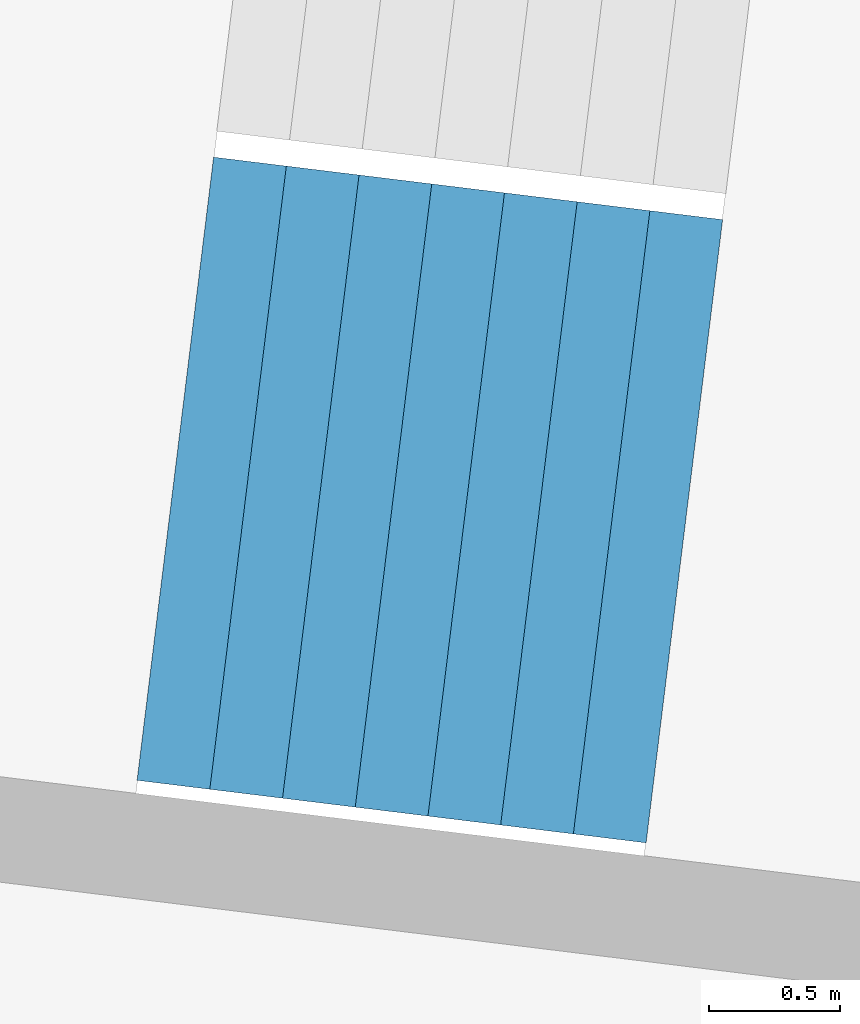
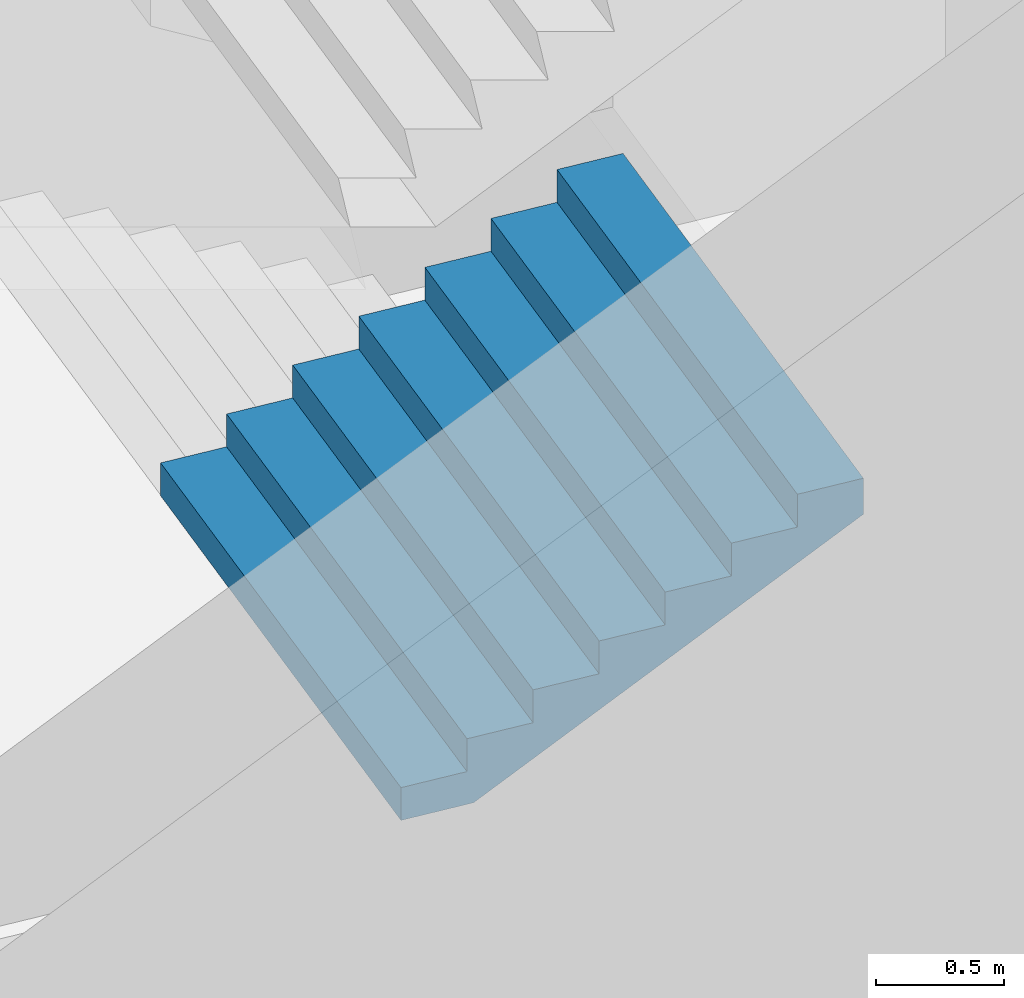
# One storey, part 27 of 73: 1 stair flight, 1 element without a shape of its own.
"""IFC4 building model written with IfcOpenShell, lengths in metres."""

import ifcopenshell
import ifcopenshell.guid

model = None  # the IFC model being written
_history = None  # IfcOwnerHistory: only IFC2X3 demands one
_inside = {}  # id of a spatial element -> (the spatial element, [elements in it])
_under = {}  # id of a project, library or spatial element -> (it, [spatial elements below it])
_declared = {}  # id of a project -> (the project, [libraries it declares])
_typed = {}  # id of a type object -> (the type object, [elements of that type])
_made_of = {}  # id of a material, layer set ... -> (it, [elements and type objects made of it])


def new_model(schema):
    """Start an empty IFC model of exactly this schema.

    Asked for "IFC4X3", IfcOpenShell would pick the latest addendum, in which some entities
    have other attributes; the version numbers below select the first issue.
    IFC2X3 requires an IfcOwnerHistory on every rooted entity: one is made here for all.
    """
    global model, _history
    if schema == "IFC4X3":
        model = ifcopenshell.file(schema_version=(4, 3, 0, 0))
    else:
        model = ifcopenshell.file(schema=schema)
    _inside.clear()
    _under.clear()
    _declared.clear()
    _typed.clear()
    _made_of.clear()
    _history = None
    if model.schema == "IFC2X3":
        org = make("IfcOrganization", Name="unknown")
        user = make(
            "IfcPersonAndOrganization",
            ThePerson=make("IfcPerson", FamilyName="unknown"),
            TheOrganization=org,
        )
        app = make(
            "IfcApplication",
            ApplicationDeveloper=org,
            Version="unknown",
            ApplicationFullName="unknown",
            ApplicationIdentifier="unknown",
        )
        _history = make(
            "IfcOwnerHistory",
            OwningUser=user,
            OwningApplication=app,
            ChangeAction="ADDED",
            CreationDate=0,
        )
    return model


def make(cls, **values):
    """One entity of the class cls with the attributes given. An attribute that is None is left unset."""
    return model.create_entity(
        cls, **{name: value for name, value in values.items() if value is not None}
    )


def rooted(cls, **values):
    """An entity with a GlobalId (a new one), such as an element, a storey or a relation."""
    return make(cls, GlobalId=ifcopenshell.guid.new(), OwnerHistory=_history, **values)


def si_unit(unit_type, name, prefix=None):
    """IfcSIUnit, for example si_unit("LENGTHUNIT", "METRE", prefix="MILLI")."""
    return make("IfcSIUnit", UnitType=unit_type, Prefix=prefix, Name=name)


def assignment(units):
    """IfcUnitAssignment: the units of a project."""
    return None if units is None else make("IfcUnitAssignment", Units=units)


def point(xyz):
    """IfcCartesianPoint."""
    return None if xyz is None else make("IfcCartesianPoint", Coordinates=xyz)


def direction(xyz):
    """IfcDirection."""
    return None if xyz is None else make("IfcDirection", DirectionRatios=xyz)


def frame(location, z_axis=None, x_axis=None):
    """IfcAxis2Placement3D, a coordinate frame: its origin and axes. An axis left out is left unset."""
    return make(
        "IfcAxis2Placement3D",
        Location=point(location),
        Axis=direction(z_axis),
        RefDirection=direction(x_axis),
    )


def origin():
    """The frame at (0, 0, 0) with its axes left unset."""
    return frame((0.0, 0.0, 0.0))


def place(relative_to, where):
    """IfcLocalPlacement: puts the frame where relative to a parent placement (None: the world)."""
    return make(
        "IfcLocalPlacement", PlacementRelTo=relative_to, RelativePlacement=where
    )


def context(
    kind, dimensions, precision=None, world=None, true_north=None, identifier=None
):
    """IfcGeometricRepresentationContext, for example the 3D "Model" context."""
    return make(
        "IfcGeometricRepresentationContext",
        ContextIdentifier=identifier,
        ContextType=kind,
        CoordinateSpaceDimension=dimensions,
        Precision=precision,
        WorldCoordinateSystem=world,
        TrueNorth=true_north,
    )


def subcontext(parent, identifier, kind, view, scale=None):
    """IfcGeometricRepresentationSubContext, for example "Body" below "Model"."""
    return make(
        "IfcGeometricRepresentationSubContext",
        ContextIdentifier=identifier,
        ContextType=kind,
        ParentContext=parent,
        TargetScale=scale,
        TargetView=view,
    )


def project(units=None, contexts=None):
    """IfcProject with its units and contexts."""
    return rooted(
        "IfcProject",
        Name="project",
        RepresentationContexts=contexts,
        UnitsInContext=assignment(units),
    )


def spatial(cls, under=None, at=None, **own):
    """A site, building, storey or space (cls), placed at a placement, below another one or the project."""
    s = rooted(cls, ObjectPlacement=at, **own)
    if under is not None:
        _under.setdefault(under.id(), (under, []))[1].append(s)
    return s


def point_list(points):
    """IfcCartesianPointList2D or 3D."""
    cls = (
        "IfcCartesianPointList2D" if len(points[0]) == 2 else "IfcCartesianPointList3D"
    )
    return make(cls, CoordList=points)


def triangles(points, corners, closed=None, point_numbers=None):
    """IfcTriangulatedFaceSet: each triangle names its three corners, points numbered from 1."""
    return make(
        "IfcTriangulatedFaceSet",
        Coordinates=point_list(points),
        Closed=closed,
        CoordIndex=corners,
        PnIndex=point_numbers,
    )


def shape(context_of_items, identifier, shape_type, items):
    """IfcShapeRepresentation: the items that make up one representation, for example the "Body"."""
    return make(
        "IfcShapeRepresentation",
        ContextOfItems=context_of_items,
        RepresentationIdentifier=identifier,
        RepresentationType=shape_type,
        Items=items,
    )


def material(Name=None, Category=None):
    """IfcMaterial."""
    return make("IfcMaterial", Name=Name, Category=Category)


def made_of(thing, what):
    """Note that an element or type object is made of a material, layer set ...; save() writes the relation."""
    if what is not None:
        _made_of.setdefault(what.id(), (what, []))[1].append(thing)
    return thing


def type_object(cls, material=None, **own):
    """A type object (cls), such as IfcWallType, which elements share."""
    return made_of(rooted(cls, **own), material)


def element(
    cls,
    number,
    at=None,
    inside=None,
    cuts=None,
    type_object=None,
    material=None,
    context=None,
    identifier="Body",
    shape_type=None,
    held_by="IfcProductDefinitionShape",
    body=None,
    shapes=None,
    **own,
):
    """One element of the class cls, such as IfcWall. Its Tag is "e" and its number.

    at: its placement. inside: the storey or other place that contains it. cuts: it is an
    opening in that element (IfcRelVoidsElement). A single representation is given by context,
    identifier, shape_type and body (its items); several are given by shapes. held_by: the class
    of the entity that holds the representations. save() writes the other relations.
    """
    e = rooted(cls, Tag="e%d" % number, ObjectPlacement=at, **own)
    if body is not None:
        shapes = [shape(context, identifier, shape_type, body)]
    if shapes is not None:
        e.Representation = make(held_by, Representations=shapes)
    if inside is not None:
        _inside.setdefault(inside.id(), (inside, []))[1].append(e)
    if cuts is not None:
        rooted(
            "IfcRelVoidsElement", RelatingBuildingElement=cuts, RelatedOpeningElement=e
        )
    if type_object is not None:
        _typed.setdefault(type_object.id(), (type_object, []))[1].append(e)
    return made_of(e, material)


def aggregate(whole, parts):
    """IfcRelAggregates: a whole, such as a stair, and the parts it consists of."""
    return rooted("IfcRelAggregates", RelatingObject=whole, RelatedObjects=parts)


def save(model, path):
    """Write the relations noted so far, then the file.

    IfcRelAggregates (storeys below a building ...), IfcRelContainedInSpatialStructure (elements
    in a storey), IfcRelDefinesByType, IfcRelAssociatesMaterial and IfcRelDeclares: one each for
    every whole, place, type object, material and project.
    """
    for whole, parts in _under.values():
        aggregate(whole, parts)
    for where, things in _inside.values():
        rooted(
            "IfcRelContainedInSpatialStructure",
            RelatedElements=things,
            RelatingStructure=where,
        )
    for kind, things in _typed.values():
        rooted("IfcRelDefinesByType", RelatedObjects=things, RelatingType=kind)
    for what, things in _made_of.values():
        rooted("IfcRelAssociatesMaterial", RelatedObjects=things, RelatingMaterial=what)
    for by, libraries in _declared.values():
        rooted("IfcRelDeclares", RelatingContext=by, RelatedDefinitions=libraries)
    model.write(path)


model = new_model("IFC4")

# Units and contexts
model_context = context("Model", 3, precision=1e-05, world=origin(), true_north=direction((0.0, 1.0)))
body_context = subcontext(model_context, "Body", "Model", "MODEL_VIEW")
ifc_project = project(units=[si_unit("LENGTHUNIT", "METRE"), si_unit("AREAUNIT", "SQUARE_METRE"), si_unit("VOLUMEUNIT", "CUBIC_METRE"), si_unit("PLANEANGLEUNIT", "RADIAN"), si_unit("MASSUNIT", "GRAM", prefix="KILO")], contexts=[model_context])

# Site, building, storey
site_placement = place(None, origin())
site = spatial("IfcSite", under=ifc_project, at=site_placement, CompositionType="ELEMENT")
building_placement = place(site_placement, origin())
building = spatial("IfcBuilding", under=site, at=building_placement, Name="Lantaw Convention Tower", CompositionType="ELEMENT")
storey_placement = place(building_placement, frame((0.0, 0.0, 22.0)))
storey = spatial("IfcBuildingStorey", under=building, at=storey_placement, Name="L03", CompositionType="ELEMENT", Elevation=22.0)

# Stair, stair flight
ifc_material = material(Name="Concrete C35/45", Category="concrete")
stair_type = type_object("IfcStairType", Name="Exit stair 2400 riser 156.25 in 4 flights", PredefinedType="HALF_TURN_STAIR", material=ifc_material)
stair_placement = place(storey_placement, origin())
stair = element("IfcStair", 1, at=stair_placement, inside=storey, type_object=stair_type, Name="Podium exit stair P9 L03", PredefinedType="HALF_TURN_STAIR")
stair_flight_type = type_object("IfcStairFlightType", Name="Stair flight 2400 riser 156.25", PredefinedType="STRAIGHT", material=ifc_material)
stair_flight_placement = place(storey_placement, frame((-40.2216796875, 3.67919921875, 1.25), z_axis=(0.0, 0.0, 1.0), x_axis=(0.992546151641, -0.121869343405, 0.0)))
stair_flight = element("IfcStairFlight", 2, at=stair_flight_placement, type_object=stair_flight_type, Name="P9 flight 2", NumberOfRisers=8, NumberOfTreads=7, PredefinedType="STRAIGHT", RiserHeight=0.15625, TreadLength=0.28, context=body_context, shape_type="Tessellation", body=[
    triangles([(0.0, 1.199951171875, 0.0), (0.0, 1.199951171875, 0.15625), (0.28, 1.199951171875, 0.0), (0.28, 1.199951171875, 0.15625), (0.28, 1.199951171875, 0.3125), (0.3076200632058044, 1.199951171875, 0.0), (0.3076200632058044, 1.199951171875, 0.3125), (0.56, 1.199951171875, 0.14083701830033238), (0.56, 1.199951171875, 0.3125), (0.56, 1.199951171875, 0.46875), (0.8400000000000001, 1.199951171875, 0.29708701830033235), (0.8400000000000001, 1.199951171875, 0.46875), (0.8400000000000001, 1.199951171875, 0.625), (1.12, 1.199951171875, 0.45333701830033235), (1.12, 1.199951171875, 0.625), (1.12, 1.199951171875, 0.78125), (1.4000000000000001, 1.199951171875, 0.6095870183003324), (1.4000000000000001, 1.199951171875, 0.78125), (1.4000000000000001, 1.199951171875, 0.9375), (1.6800000000000002, 1.199951171875, 0.7658370183003324), (1.6800000000000002, 1.199951171875, 0.9375), (1.6800000000000002, 1.199951171875, 1.09375), (1.9600000000000002, 1.199951171875, 0.9220870183003324), (1.9600000000000002, 1.199951171875, 1.09375), (0.0, -1.199951171875, 0.0), (0.0, -1.199951171875, 0.15625), (0.28, -1.199951171875, 0.0), (0.28, -1.199951171875, 0.15625), (0.28, -1.199951171875, 0.3125), (0.3076200632058044, -1.199951171875, 0.0), (0.3076200632058044, -1.199951171875, 0.3125), (0.56, -1.199951171875, 0.14083701830033238), (0.56, -1.199951171875, 0.3125), (0.56, -1.199951171875, 0.46875), (0.8400000000000001, -1.199951171875, 0.29708701830033235), (0.8400000000000001, -1.199951171875, 0.46875), (0.8400000000000001, -1.199951171875, 0.625), (1.12, -1.199951171875, 0.45333701830033235), (1.12, -1.199951171875, 0.625), (1.12, -1.199951171875, 0.78125), (1.4000000000000001, -1.199951171875, 0.6095870183003324), (1.4000000000000001, -1.199951171875, 0.78125), (1.4000000000000001, -1.199951171875, 0.9375), (1.6800000000000002, -1.199951171875, 0.7658370183003324), (1.6800000000000002, -1.199951171875, 0.9375), (1.6800000000000002, -1.199951171875, 1.09375), (1.9600000000000002, -1.199951171875, 0.9220870183003324), (1.9600000000000002, -1.199951171875, 1.09375), (0.0, 0.239990234375, 0.15625), (0.0, 0.239990234375, 0.0), (0.0, 0.1919921875, 0.15625), (0.0, 0.1919921875, 0.0), (0.0, 0.143994140625, 0.15625), (0.0, 0.143994140625, 0.0), (0.0, 0.09599609375, 0.15625), (0.0, 0.09599609375, 0.0), (0.0, 0.047998046875, 0.15625), (0.0, 0.047998046875, 0.0), (0.0, 0.0, 0.15625), (0.0, 0.0, 0.0), (0.0, -0.047998046875, 0.15625), (0.0, -0.047998046875, 0.0), (0.0, -0.09599609375, 0.15625), (0.0, -0.09599609375, 0.0), (0.0, -0.143994140625, 0.15625), (0.0, -0.143994140625, 0.0), (0.0, -0.1919921875, 0.15625), (0.0, -0.1919921875, 0.0), (0.0, -0.239990234375, 0.15625), (0.0, -0.239990234375, 0.0), (0.28, 0.239990234375, 0.3125), (0.28, 0.239990234375, 0.15625), (0.28, 0.1919921875, 0.3125), (0.28, 0.1919921875, 0.15625), (0.28, 0.143994140625, 0.3125), (0.28, 0.143994140625, 0.15625), (0.28, 0.09599609375, 0.3125), (0.28, 0.09599609375, 0.15625), (0.28, 0.047998046875, 0.3125), (0.28, 0.047998046875, 0.15625), (0.28, 0.0, 0.3125), (0.28, 0.0, 0.15625), (0.28, -0.047998046875, 0.3125), (0.28, -0.047998046875, 0.15625), (0.28, -0.09599609375, 0.3125), (0.28, -0.09599609375, 0.15625), (0.28, -0.143994140625, 0.3125), (0.28, -0.143994140625, 0.15625), (0.28, -0.1919921875, 0.3125), (0.28, -0.1919921875, 0.15625), (0.28, -0.239990234375, 0.3125), (0.28, -0.239990234375, 0.15625), (0.56, 0.239990234375, 0.46875), (0.56, 0.239990234375, 0.3125), (0.56, 0.1919921875, 0.46875), (0.56, 0.1919921875, 0.3125), (0.56, 0.143994140625, 0.46875), (0.56, 0.143994140625, 0.3125), (0.56, 0.09599609375, 0.46875), (0.56, 0.09599609375, 0.3125), (0.56, 0.047998046875, 0.46875), (0.56, 0.047998046875, 0.3125), (0.56, 0.0, 0.46875), (0.56, 0.0, 0.3125), (0.56, -0.047998046875, 0.46875), (0.56, -0.047998046875, 0.3125), (0.56, -0.09599609375, 0.46875), (0.56, -0.09599609375, 0.3125), (0.56, -0.143994140625, 0.46875), (0.56, -0.143994140625, 0.3125), (0.56, -0.1919921875, 0.46875), (0.56, -0.1919921875, 0.3125), (0.56, -0.239990234375, 0.46875), (0.56, -0.239990234375, 0.3125), (0.8400000000000001, 0.239990234375, 0.625), (0.8400000000000001, 0.239990234375, 0.46875), (0.8400000000000001, 0.1919921875, 0.625), (0.8400000000000001, 0.1919921875, 0.46875), (0.8400000000000001, 0.143994140625, 0.625), (0.8400000000000001, 0.143994140625, 0.46875), (0.8400000000000001, 0.09599609375, 0.625), (0.8400000000000001, 0.09599609375, 0.46875), (0.8400000000000001, 0.047998046875, 0.625), (0.8400000000000001, 0.047998046875, 0.46875), (0.8400000000000001, 0.0, 0.625), (0.8400000000000001, 0.0, 0.46875), (0.8400000000000001, -0.047998046875, 0.625), (0.8400000000000001, -0.047998046875, 0.46875), (0.8400000000000001, -0.09599609375, 0.625), (0.8400000000000001, -0.09599609375, 0.46875), (0.8400000000000001, -0.143994140625, 0.625), (0.8400000000000001, -0.143994140625, 0.46875), (0.8400000000000001, -0.1919921875, 0.625), (0.8400000000000001, -0.1919921875, 0.46875), (0.8400000000000001, -0.239990234375, 0.625), (0.8400000000000001, -0.239990234375, 0.46875), (1.12, 0.239990234375, 0.78125), (1.12, 0.239990234375, 0.625), (1.12, 0.1919921875, 0.78125), (1.12, 0.1919921875, 0.625), (1.12, 0.143994140625, 0.78125), (1.12, 0.143994140625, 0.625), (1.12, 0.09599609375, 0.78125), (1.12, 0.09599609375, 0.625), (1.12, 0.047998046875, 0.78125), (1.12, 0.047998046875, 0.625), (1.12, 0.0, 0.78125), (1.12, 0.0, 0.625), (1.12, -0.047998046875, 0.78125), (1.12, -0.047998046875, 0.625), (1.12, -0.09599609375, 0.78125), (1.12, -0.09599609375, 0.625), (1.12, -0.143994140625, 0.78125), (1.12, -0.143994140625, 0.625), (1.12, -0.1919921875, 0.78125), (1.12, -0.1919921875, 0.625), (1.12, -0.239990234375, 0.78125), (1.12, -0.239990234375, 0.625), (1.4000000000000001, 0.239990234375, 0.9375), (1.4000000000000001, 0.239990234375, 0.78125), (1.4000000000000001, 0.1919921875, 0.9375), (1.4000000000000001, 0.1919921875, 0.78125), (1.4000000000000001, 0.143994140625, 0.9375), (1.4000000000000001, 0.143994140625, 0.78125), (1.4000000000000001, 0.09599609375, 0.9375), (1.4000000000000001, 0.09599609375, 0.78125), (1.4000000000000001, 0.047998046875, 0.9375), (1.4000000000000001, 0.047998046875, 0.78125), (1.4000000000000001, 0.0, 0.9375), (1.4000000000000001, 0.0, 0.78125), (1.4000000000000001, -0.047998046875, 0.9375), (1.4000000000000001, -0.047998046875, 0.78125), (1.4000000000000001, -0.09599609375, 0.9375), (1.4000000000000001, -0.09599609375, 0.78125), (1.4000000000000001, -0.143994140625, 0.9375), (1.4000000000000001, -0.143994140625, 0.78125), (1.4000000000000001, -0.1919921875, 0.9375), (1.4000000000000001, -0.1919921875, 0.78125), (1.4000000000000001, -0.239990234375, 0.9375), (1.4000000000000001, -0.239990234375, 0.78125), (1.6800000000000002, 0.239990234375, 1.09375), (1.6800000000000002, 0.239990234375, 0.9375), (1.6800000000000002, 0.1919921875, 1.09375), (1.6800000000000002, 0.1919921875, 0.9375), (1.6800000000000002, 0.143994140625, 1.09375), (1.6800000000000002, 0.143994140625, 0.9375), (1.6800000000000002, 0.09599609375, 1.09375), (1.6800000000000002, 0.09599609375, 0.9375), (1.6800000000000002, 0.047998046875, 1.09375), (1.6800000000000002, 0.047998046875, 0.9375), (1.6800000000000002, 0.0, 1.09375), (1.6800000000000002, 0.0, 0.9375), (1.6800000000000002, -0.047998046875, 1.09375), (1.6800000000000002, -0.047998046875, 0.9375), (1.6800000000000002, -0.09599609375, 1.09375), (1.6800000000000002, -0.09599609375, 0.9375), (1.6800000000000002, -0.143994140625, 1.09375), (1.6800000000000002, -0.143994140625, 0.9375), (1.6800000000000002, -0.1919921875, 1.09375), (1.6800000000000002, -0.1919921875, 0.9375), (1.6800000000000002, -0.239990234375, 1.09375), (1.6800000000000002, -0.239990234375, 0.9375), (0.3076200632058044, 0.239990234375, 0.3125), (0.3076200632058044, 0.1919921875, 0.3125), (0.3076200632058044, 0.143994140625, 0.3125), (0.3076200632058044, 0.09599609375, 0.3125), (0.3076200632058044, 0.047998046875, 0.3125), (0.3076200632058044, 0.0, 0.3125), (0.3076200632058044, -0.047998046875, 0.3125), (0.3076200632058044, -0.09599609375, 0.3125), (0.3076200632058044, -0.143994140625, 0.3125), (0.3076200632058044, -0.1919921875, 0.3125), (0.3076200632058044, -0.239990234375, 0.3125), (1.9600000000000002, 0.239990234375, 1.09375), (1.9600000000000002, 0.1919921875, 1.09375), (1.9600000000000002, 0.143994140625, 1.09375), (1.9600000000000002, 0.09599609375, 1.09375), (1.9600000000000002, 0.047998046875, 1.09375), (1.9600000000000002, 0.0, 1.09375), (1.9600000000000002, -0.047998046875, 1.09375), (1.9600000000000002, -0.09599609375, 1.09375), (1.9600000000000002, -0.143994140625, 1.09375), (1.9600000000000002, -0.1919921875, 1.09375), (1.9600000000000002, -0.239990234375, 1.09375), (1.9600000000000002, 0.239990234375, 0.9220870183003324), (1.9600000000000002, 0.1919921875, 0.9220870183003324), (1.9600000000000002, 0.143994140625, 0.9220870183003324), (1.9600000000000002, 0.09599609375, 0.9220870183003324), (1.9600000000000002, 0.047998046875, 0.9220870183003324), (1.9600000000000002, 0.0, 0.9220870183003324), (1.9600000000000002, -0.047998046875, 0.9220870183003324), (1.9600000000000002, -0.09599609375, 0.9220870183003324), (1.9600000000000002, -0.143994140625, 0.9220870183003324), (1.9600000000000002, -0.1919921875, 0.9220870183003324), (1.9600000000000002, -0.239990234375, 0.9220870183003324), (1.6800000000000002, 0.239990234375, 0.7658370183003324), (1.6800000000000002, 0.1919921875, 0.7658370183003324), (1.6800000000000002, 0.143994140625, 0.7658370183003324), (1.6800000000000002, 0.09599609375, 0.7658370183003324), (1.6800000000000002, 0.047998046875, 0.7658370183003324), (1.6800000000000002, 0.0, 0.7658370183003324), (1.6800000000000002, -0.047998046875, 0.7658370183003324), (1.6800000000000002, -0.09599609375, 0.7658370183003324), (1.6800000000000002, -0.143994140625, 0.7658370183003324), (1.6800000000000002, -0.1919921875, 0.7658370183003324), (1.6800000000000002, -0.239990234375, 0.7658370183003324), (1.4000000000000001, 0.239990234375, 0.6095870183003324), (1.4000000000000001, 0.1919921875, 0.6095870183003324), (1.4000000000000001, 0.143994140625, 0.6095870183003324), (1.4000000000000001, 0.09599609375, 0.6095870183003324), (1.4000000000000001, 0.047998046875, 0.6095870183003324), (1.4000000000000001, 0.0, 0.6095870183003324), (1.4000000000000001, -0.047998046875, 0.6095870183003324), (1.4000000000000001, -0.09599609375, 0.6095870183003324), (1.4000000000000001, -0.143994140625, 0.6095870183003324), (1.4000000000000001, -0.1919921875, 0.6095870183003324), (1.4000000000000001, -0.239990234375, 0.6095870183003324), (1.12, 0.239990234375, 0.45333701830033235), (1.12, 0.1919921875, 0.45333701830033235), (1.12, 0.143994140625, 0.45333701830033235), (1.12, 0.09599609375, 0.45333701830033235), (1.12, 0.047998046875, 0.45333701830033235), (1.12, 0.0, 0.45333701830033235), (1.12, -0.047998046875, 0.45333701830033235), (1.12, -0.09599609375, 0.45333701830033235), (1.12, -0.143994140625, 0.45333701830033235), (1.12, -0.1919921875, 0.45333701830033235), (1.12, -0.239990234375, 0.45333701830033235), (0.8400000000000001, 0.239990234375, 0.29708701830033235), (0.8400000000000001, 0.1919921875, 0.29708701830033235), (0.8400000000000001, 0.143994140625, 0.29708701830033235), (0.8400000000000001, 0.09599609375, 0.29708701830033235), (0.8400000000000001, 0.047998046875, 0.29708701830033235), (0.8400000000000001, 0.0, 0.29708701830033235), (0.8400000000000001, -0.047998046875, 0.29708701830033235), (0.8400000000000001, -0.09599609375, 0.29708701830033235), (0.8400000000000001, -0.143994140625, 0.29708701830033235), (0.8400000000000001, -0.1919921875, 0.29708701830033235), (0.8400000000000001, -0.239990234375, 0.29708701830033235), (0.56, 0.239990234375, 0.14083701830033238), (0.56, 0.1919921875, 0.14083701830033238), (0.56, 0.143994140625, 0.14083701830033238), (0.56, 0.09599609375, 0.14083701830033238), (0.56, 0.047998046875, 0.14083701830033238), (0.56, 0.0, 0.14083701830033238), (0.56, -0.047998046875, 0.14083701830033238), (0.56, -0.09599609375, 0.14083701830033238), (0.56, -0.143994140625, 0.14083701830033238), (0.56, -0.1919921875, 0.14083701830033238), (0.56, -0.239990234375, 0.14083701830033238), (0.3076200632058044, 0.239990234375, 0.0), (0.3076200632058044, 0.1919921875, 0.0), (0.3076200632058044, 0.143994140625, 0.0), (0.3076200632058044, 0.09599609375, 0.0), (0.3076200632058044, 0.047998046875, 0.0), (0.3076200632058044, 0.0, 0.0), (0.3076200632058044, -0.047998046875, 0.0), (0.3076200632058044, -0.09599609375, 0.0), (0.3076200632058044, -0.143994140625, 0.0), (0.3076200632058044, -0.1919921875, 0.0), (0.3076200632058044, -0.239990234375, 0.0), (0.28, 0.239990234375, 0.0), (0.28, 0.1919921875, 0.0), (0.28, 0.143994140625, 0.0), (0.28, 0.09599609375, 0.0), (0.28, 0.047998046875, 0.0), (0.28, 0.0, 0.0), (0.28, -0.047998046875, 0.0), (0.28, -0.09599609375, 0.0), (0.28, -0.143994140625, 0.0), (0.28, -0.1919921875, 0.0), (0.28, -0.239990234375, 0.0)], [[1, 4, 3], [1, 2, 4], [3, 4, 6], [4, 7, 6], [4, 5, 7], [6, 9, 8], [6, 7, 9], [8, 9, 11], [9, 12, 11], [9, 10, 12], [11, 12, 14], [12, 15, 14], [12, 13, 15], [14, 15, 17], [15, 18, 17], [15, 16, 18], [17, 18, 20], [18, 21, 20], [18, 19, 21], [20, 21, 23], [21, 24, 23], [21, 22, 24], [25, 27, 28], [25, 28, 26], [27, 30, 28], [28, 30, 31], [28, 31, 29], [30, 32, 33], [30, 33, 31], [32, 35, 33], [33, 35, 36], [33, 36, 34], [35, 38, 36], [36, 38, 39], [36, 39, 37], [38, 41, 39], [39, 41, 42], [39, 42, 40], [41, 44, 42], [42, 44, 45], [42, 45, 43], [44, 47, 45], [45, 47, 48], [45, 48, 46], [1, 49, 2], [1, 50, 49], [50, 51, 49], [50, 52, 51], [52, 53, 51], [52, 54, 53], [54, 55, 53], [54, 56, 55], [56, 57, 55], [56, 58, 57], [58, 59, 57], [58, 60, 59], [60, 61, 59], [60, 62, 61], [62, 63, 61], [62, 64, 63], [64, 65, 63], [64, 66, 65], [66, 67, 65], [66, 68, 67], [68, 69, 67], [68, 70, 69], [70, 26, 69], [70, 25, 26], [4, 71, 5], [4, 72, 71], [72, 73, 71], [72, 74, 73], [74, 75, 73], [74, 76, 75], [76, 77, 75], [76, 78, 77], [78, 79, 77], [78, 80, 79], [80, 81, 79], [80, 82, 81], [82, 83, 81], [82, 84, 83], [84, 85, 83], [84, 86, 85], [86, 87, 85], [86, 88, 87], [88, 89, 87], [88, 90, 89], [90, 91, 89], [90, 92, 91], [92, 29, 91], [92, 28, 29], [9, 93, 10], [9, 94, 93], [94, 95, 93], [94, 96, 95], [96, 97, 95], [96, 98, 97], [98, 99, 97], [98, 100, 99], [100, 101, 99], [100, 102, 101], [102, 103, 101], [102, 104, 103], [104, 105, 103], [104, 106, 105], [106, 107, 105], [106, 108, 107], [108, 109, 107], [108, 110, 109], [110, 111, 109], [110, 112, 111], [112, 113, 111], [112, 114, 113], [114, 34, 113], [114, 33, 34], [12, 115, 13], [12, 116, 115], [116, 117, 115], [116, 118, 117], [118, 119, 117], [118, 120, 119], [120, 121, 119], [120, 122, 121], [122, 123, 121], [122, 124, 123], [124, 125, 123], [124, 126, 125], [126, 127, 125], [126, 128, 127], [128, 129, 127], [128, 130, 129], [130, 131, 129], [130, 132, 131], [132, 133, 131], [132, 134, 133], [134, 135, 133], [134, 136, 135], [136, 37, 135], [136, 36, 37], [15, 137, 16], [15, 138, 137], [138, 139, 137], [138, 140, 139], [140, 141, 139], [140, 142, 141], [142, 143, 141], [142, 144, 143], [144, 145, 143], [144, 146, 145], [146, 147, 145], [146, 148, 147], [148, 149, 147], [148, 150, 149], [150, 151, 149], [150, 152, 151], [152, 153, 151], [152, 154, 153], [154, 155, 153], [154, 156, 155], [156, 157, 155], [156, 158, 157], [158, 40, 157], [158, 39, 40], [18, 159, 19], [18, 160, 159], [160, 161, 159], [160, 162, 161], [162, 163, 161], [162, 164, 163], [164, 165, 163], [164, 166, 165], [166, 167, 165], [166, 168, 167], [168, 169, 167], [168, 170, 169], [170, 171, 169], [170, 172, 171], [172, 173, 171], [172, 174, 173], [174, 175, 173], [174, 176, 175], [176, 177, 175], [176, 178, 177], [178, 179, 177], [178, 180, 179], [180, 43, 179], [180, 42, 43], [21, 181, 22], [21, 182, 181], [182, 183, 181], [182, 184, 183], [184, 185, 183], [184, 186, 185], [186, 187, 185], [186, 188, 187], [188, 189, 187], [188, 190, 189], [190, 191, 189], [190, 192, 191], [192, 193, 191], [192, 194, 193], [194, 195, 193], [194, 196, 195], [196, 197, 195], [196, 198, 197], [198, 199, 197], [198, 200, 199], [200, 201, 199], [200, 202, 201], [202, 46, 201], [202, 45, 46], [2, 72, 4], [2, 49, 72], [49, 74, 72], [49, 51, 74], [51, 76, 74], [51, 53, 76], [53, 78, 76], [53, 55, 78], [55, 80, 78], [55, 57, 80], [57, 82, 80], [57, 59, 82], [59, 84, 82], [59, 61, 84], [61, 86, 84], [61, 63, 86], [63, 88, 86], [63, 65, 88], [65, 90, 88], [65, 67, 90], [67, 92, 90], [67, 69, 92], [69, 28, 92], [69, 26, 28], [5, 203, 7], [5, 71, 203], [71, 204, 203], [71, 73, 204], [73, 205, 204], [73, 75, 205], [75, 206, 205], [75, 77, 206], [77, 207, 206], [77, 79, 207], [79, 208, 207], [79, 81, 208], [81, 209, 208], [81, 83, 209], [83, 210, 209], [83, 85, 210], [85, 211, 210], [85, 87, 211], [87, 212, 211], [87, 89, 212], [89, 213, 212], [89, 91, 213], [91, 31, 213], [91, 29, 31], [7, 94, 9], [7, 203, 94], [203, 96, 94], [203, 204, 96], [204, 98, 96], [204, 205, 98], [205, 100, 98], [205, 206, 100], [206, 102, 100], [206, 207, 102], [207, 104, 102], [207, 208, 104], [208, 106, 104], [208, 209, 106], [209, 108, 106], [209, 210, 108], [210, 110, 108], [210, 211, 110], [211, 112, 110], [211, 212, 112], [212, 114, 112], [212, 213, 114], [213, 33, 114], [213, 31, 33], [10, 116, 12], [10, 93, 116], [93, 118, 116], [93, 95, 118], [95, 120, 118], [95, 97, 120], [97, 122, 120], [97, 99, 122], [99, 124, 122], [99, 101, 124], [101, 126, 124], [101, 103, 126], [103, 128, 126], [103, 105, 128], [105, 130, 128], [105, 107, 130], [107, 132, 130], [107, 109, 132], [109, 134, 132], [109, 111, 134], [111, 136, 134], [111, 113, 136], [113, 36, 136], [113, 34, 36], [13, 138, 15], [13, 115, 138], [115, 140, 138], [115, 117, 140], [117, 142, 140], [117, 119, 142], [119, 144, 142], [119, 121, 144], [121, 146, 144], [121, 123, 146], [123, 148, 146], [123, 125, 148], [125, 150, 148], [125, 127, 150], [127, 152, 150], [127, 129, 152], [129, 154, 152], [129, 131, 154], [131, 156, 154], [131, 133, 156], [133, 158, 156], [133, 135, 158], [135, 39, 158], [135, 37, 39], [16, 160, 18], [16, 137, 160], [137, 162, 160], [137, 139, 162], [139, 164, 162], [139, 141, 164], [141, 166, 164], [141, 143, 166], [143, 168, 166], [143, 145, 168], [145, 170, 168], [145, 147, 170], [147, 172, 170], [147, 149, 172], [149, 174, 172], [149, 151, 174], [151, 176, 174], [151, 153, 176], [153, 178, 176], [153, 155, 178], [155, 180, 178], [155, 157, 180], [157, 42, 180], [157, 40, 42], [19, 182, 21], [19, 159, 182], [159, 184, 182], [159, 161, 184], [161, 186, 184], [161, 163, 186], [163, 188, 186], [163, 165, 188], [165, 190, 188], [165, 167, 190], [167, 192, 190], [167, 169, 192], [169, 194, 192], [169, 171, 194], [171, 196, 194], [171, 173, 196], [173, 198, 196], [173, 175, 198], [175, 200, 198], [175, 177, 200], [177, 202, 200], [177, 179, 202], [179, 45, 202], [179, 43, 45], [22, 214, 24], [22, 181, 214], [181, 215, 214], [181, 183, 215], [183, 216, 215], [183, 185, 216], [185, 217, 216], [185, 187, 217], [187, 218, 217], [187, 189, 218], [189, 219, 218], [189, 191, 219], [191, 220, 219], [191, 193, 220], [193, 221, 220], [193, 195, 221], [195, 222, 221], [195, 197, 222], [197, 223, 222], [197, 199, 223], [199, 224, 223], [199, 201, 224], [201, 48, 224], [201, 46, 48], [24, 225, 23], [24, 214, 225], [214, 226, 225], [214, 215, 226], [215, 227, 226], [215, 216, 227], [216, 228, 227], [216, 217, 228], [217, 229, 228], [217, 218, 229], [218, 230, 229], [218, 219, 230], [219, 231, 230], [219, 220, 231], [220, 232, 231], [220, 221, 232], [221, 233, 232], [221, 222, 233], [222, 234, 233], [222, 223, 234], [223, 235, 234], [223, 224, 235], [224, 47, 235], [224, 48, 47], [23, 236, 20], [23, 225, 236], [225, 237, 236], [225, 226, 237], [226, 238, 237], [226, 227, 238], [227, 239, 238], [227, 228, 239], [228, 240, 239], [228, 229, 240], [229, 241, 240], [229, 230, 241], [230, 242, 241], [230, 231, 242], [231, 243, 242], [231, 232, 243], [232, 244, 243], [232, 233, 244], [233, 245, 244], [233, 234, 245], [234, 246, 245], [234, 235, 246], [235, 44, 246], [235, 47, 44], [20, 247, 17], [20, 236, 247], [236, 248, 247], [236, 237, 248], [237, 249, 248], [237, 238, 249], [238, 250, 249], [238, 239, 250], [239, 251, 250], [239, 240, 251], [240, 252, 251], [240, 241, 252], [241, 253, 252], [241, 242, 253], [242, 254, 253], [242, 243, 254], [243, 255, 254], [243, 244, 255], [244, 256, 255], [244, 245, 256], [245, 257, 256], [245, 246, 257], [246, 41, 257], [246, 44, 41], [17, 258, 14], [17, 247, 258], [247, 259, 258], [247, 248, 259], [248, 260, 259], [248, 249, 260], [249, 261, 260], [249, 250, 261], [250, 262, 261], [250, 251, 262], [251, 263, 262], [251, 252, 263], [252, 264, 263], [252, 253, 264], [253, 265, 264], [253, 254, 265], [254, 266, 265], [254, 255, 266], [255, 267, 266], [255, 256, 267], [256, 268, 267], [256, 257, 268], [257, 38, 268], [257, 41, 38], [14, 269, 11], [14, 258, 269], [258, 270, 269], [258, 259, 270], [259, 271, 270], [259, 260, 271], [260, 272, 271], [260, 261, 272], [261, 273, 272], [261, 262, 273], [262, 274, 273], [262, 263, 274], [263, 275, 274], [263, 264, 275], [264, 276, 275], [264, 265, 276], [265, 277, 276], [265, 266, 277], [266, 278, 277], [266, 267, 278], [267, 279, 278], [267, 268, 279], [268, 35, 279], [268, 38, 35], [11, 280, 8], [11, 269, 280], [269, 281, 280], [269, 270, 281], [270, 282, 281], [270, 271, 282], [271, 283, 282], [271, 272, 283], [272, 284, 283], [272, 273, 284], [273, 285, 284], [273, 274, 285], [274, 286, 285], [274, 275, 286], [275, 287, 286], [275, 276, 287], [276, 288, 287], [276, 277, 288], [277, 289, 288], [277, 278, 289], [278, 290, 289], [278, 279, 290], [279, 32, 290], [279, 35, 32], [8, 291, 6], [8, 280, 291], [280, 292, 291], [280, 281, 292], [281, 293, 292], [281, 282, 293], [282, 294, 293], [282, 283, 294], [283, 295, 294], [283, 284, 295], [284, 296, 295], [284, 285, 296], [285, 297, 296], [285, 286, 297], [286, 298, 297], [286, 287, 298], [287, 299, 298], [287, 288, 299], [288, 300, 299], [288, 289, 300], [289, 301, 300], [289, 290, 301], [290, 30, 301], [290, 32, 30], [6, 302, 3], [6, 291, 302], [291, 303, 302], [291, 292, 303], [292, 304, 303], [292, 293, 304], [293, 305, 304], [293, 294, 305], [294, 306, 305], [294, 295, 306], [295, 307, 306], [295, 296, 307], [296, 308, 307], [296, 297, 308], [297, 309, 308], [297, 298, 309], [298, 310, 309], [298, 299, 310], [299, 311, 310], [299, 300, 311], [300, 312, 311], [300, 301, 312], [301, 27, 312], [301, 30, 27], [3, 50, 1], [3, 302, 50], [302, 52, 50], [302, 303, 52], [303, 54, 52], [303, 304, 54], [304, 56, 54], [304, 305, 56], [305, 58, 56], [305, 306, 58], [306, 60, 58], [306, 307, 60], [307, 62, 60], [307, 308, 62], [308, 64, 62], [308, 309, 64], [309, 66, 64], [309, 310, 66], [310, 68, 66], [310, 311, 68], [311, 70, 68], [311, 312, 70], [312, 25, 70], [312, 27, 25]], closed=True),
])
aggregate(stair, [stair_flight])

save(model, "model.ifc")
